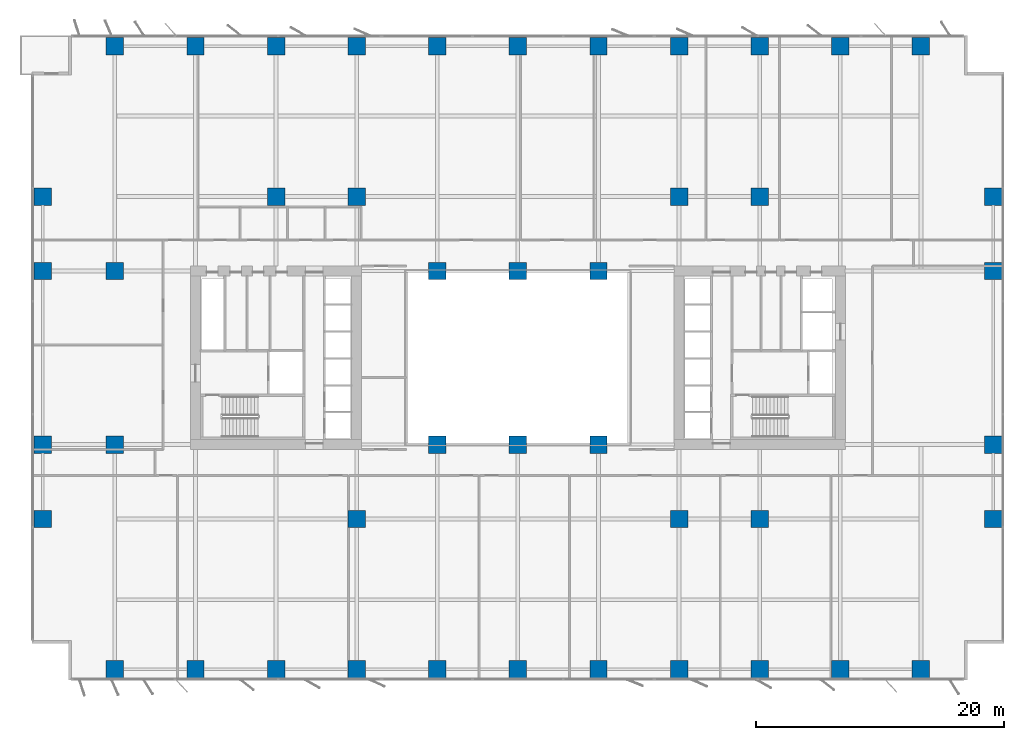
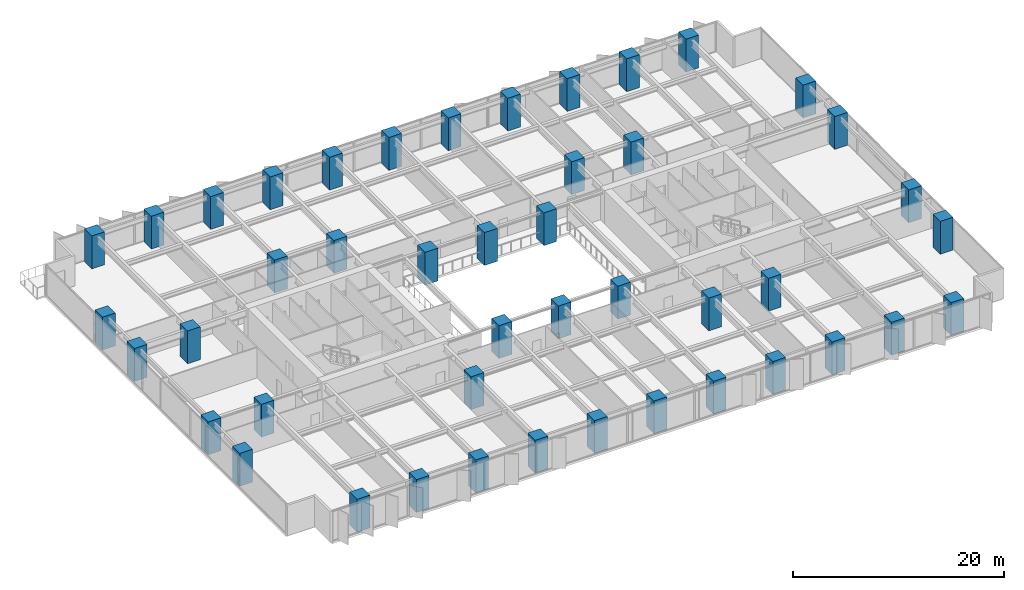
# One storey, part 1 of 20: 45 columns.
"""IFC4 building model written with IfcOpenShell, lengths in metres."""

from ifc_helpers import new_model, si_unit, direction, frame, origin, origin_2d, place, context, subcontext, project, spatial, rectangle, extrude, material, material_profile, profile_set, type_object, element, save


model = new_model("IFC4")

# Units and contexts
model_context = context("Model", 3, precision=1e-05, world=origin(), true_north=direction((0.0, 1.0)))
body_context = subcontext(model_context, "Body", "Model", "MODEL_VIEW")
ifc_project = project(units=[si_unit("LENGTHUNIT", "METRE"), si_unit("AREAUNIT", "SQUARE_METRE"), si_unit("VOLUMEUNIT", "CUBIC_METRE"), si_unit("PLANEANGLEUNIT", "RADIAN"), si_unit("MASSUNIT", "GRAM", prefix="KILO")], contexts=[model_context])

# Site, building, storey
site_placement = place(None, origin())
site = spatial("IfcSite", under=ifc_project, at=site_placement, CompositionType="ELEMENT")
building_placement = place(site_placement, origin())
building = spatial("IfcBuilding", under=site, at=building_placement, Name="Putna Gate Headquarters", CompositionType="ELEMENT")
storey_placement = place(building_placement, frame((0.0, 0.0, 77.199951171875)))
storey = spatial("IfcBuildingStorey", under=building, at=storey_placement, Name="L18", CompositionType="ELEMENT", Elevation=77.199951171875)

# Columns
ifc_material = material(Name="Concrete C60/75", Category="concrete")
ifc_material_profile_1 = material_profile(ifc_material, rectangle(XDim=1.39990234375, YDim=1.39990234375, at=origin_2d()), Name="Concrete C60/75")
ifc_profile_set_1 = profile_set([ifc_material_profile_1], Name="Concrete C60/75")
column_type_1 = type_object("IfcColumnType", Name="COL-RC1400-EXT", PredefinedType="COLUMN", material=ifc_profile_set_1)
for number, where, z_axis, x_axis, name in (
    (1, (6.5, 0.8798828125, 0.0), (0.0, 0.0, 1.0), (1.0, 0.0, 0.0), "L18 Column CP-S6"),
    (2, (6.5, 51.1201171875, 0.0), (0.0, 0.0, 1.0), (1.0, 0.0, 0.0), "L18 Column CP-N6"),
    (3, (13.0, 0.8798828125, 0.0), (0.0, 0.0, 1.0), (1.0, 0.0, 0.0), "L18 Column CP-S13"),
    (4, (13.0, 51.1201171875, 0.0), (0.0, 0.0, 1.0), (1.0, 0.0, 0.0), "L18 Column CP-N13"),
    (5, (19.5, 0.8798828125, 0.0), (0.0, 0.0, 1.0), (1.0, 0.0, 0.0), "L18 Column CP-S19"),
    (6, (19.5, 51.1201171875, 0.0), (0.0, 0.0, 1.0), (1.0, 0.0, 0.0), "L18 Column CP-N19"),
    (7, (26.0, 0.8798828125, 0.0), (0.0, 0.0, 1.0), (1.0, 0.0, 0.0), "L18 Column CP-S26"),
    (8, (26.0, 51.1201171875, 0.0), (0.0, 0.0, 1.0), (1.0, 0.0, 0.0), "L18 Column CP-N26"),
    (9, (32.5, 0.8798828125, 0.0), (0.0, 0.0, 1.0), (1.0, 0.0, 0.0), "L18 Column CP-S32"),
    (10, (32.5, 51.1201171875, 0.0), (0.0, 0.0, 1.0), (1.0, 0.0, 0.0), "L18 Column CP-N32"),
    (11, (39.0, 0.8798828125, 0.0), (0.0, 0.0, 1.0), (1.0, 0.0, 0.0), "L18 Column CP-S39"),
    (12, (39.0, 51.1201171875, 0.0), (0.0, 0.0, 1.0), (1.0, 0.0, 0.0), "L18 Column CP-N39"),
    (13, (45.5, 0.8798828125, 0.0), (0.0, 0.0, 1.0), (1.0, 0.0, 0.0), "L18 Column CP-S45"),
    (14, (45.5, 51.1201171875, 0.0), (0.0, 0.0, 1.0), (1.0, 0.0, 0.0), "L18 Column CP-N45"),
    (15, (52.0, 0.8798828125, 0.0), (0.0, 0.0, 1.0), (1.0, 0.0, 0.0), "L18 Column CP-S52"),
    (16, (52.0, 51.1201171875, 0.0), (0.0, 0.0, 1.0), (1.0, 0.0, 0.0), "L18 Column CP-N52"),
    (17, (58.5, 0.8798828125, 0.0), (0.0, 0.0, 1.0), (1.0, 0.0, 0.0), "L18 Column CP-S58"),
    (18, (58.5, 51.1201171875, 0.0), (0.0, 0.0, 1.0), (1.0, 0.0, 0.0), "L18 Column CP-N58"),
    (19, (65.0, 0.8798828125, 0.0), (0.0, 0.0, 1.0), (1.0, 0.0, 0.0), "L18 Column CP-S65"),
    (20, (65.0, 51.1201171875, 0.0), (0.0, 0.0, 1.0), (1.0, 0.0, 0.0), "L18 Column CP-N65"),
    (21, (71.5, 0.8798828125, 0.0), (0.0, 0.0, 1.0), (1.0, 0.0, 0.0), "L18 Column CP-S71"),
    (22, (71.5, 51.1201171875, 0.0), (0.0, 0.0, 1.0), (1.0, 0.0, 0.0), "L18 Column CP-N71"),
    (23, (0.679931640625, 13.0, 0.0), (0.0, 0.0, 1.0), (1.0, 0.0, 0.0), "L18 Column CP-W13"),
    (24, (77.320068359375, 13.0, 0.0), (0.0, 0.0, 1.0), (1.0, 0.0, 0.0), "L18 Column CP-E13"),
    (25, (0.679931640625, 19.0, 0.0), (0.0, 0.0, 1.0), (1.0, 0.0, 0.0), "L18 Column CP-W19"),
    (26, (77.320068359375, 19.0, 0.0), (0.0, 0.0, 1.0), (1.0, 0.0, 0.0), "L18 Column CP-E19"),
    (27, (0.679931640625, 33.0, 0.0), (0.0, 0.0, 1.0), (1.0, 0.0, 0.0), "L18 Column CP-W33"),
    (28, (77.320068359375, 33.0, 0.0), (0.0, 0.0, 1.0), (1.0, 0.0, 0.0), "L18 Column CP-E33"),
    (29, (0.679931640625, 39.0, 0.0), (0.0, 0.0, 1.0), (1.0, 0.0, 0.0), "L18 Column CP-W39"),
    (30, (77.320068359375, 39.0, 0.0), (0.0, 0.0, 1.0), (1.0, 0.0, 0.0), "L18 Column CP-E39"),
):
    element("IfcColumn", number, at=place(storey_placement, frame(where, z_axis=z_axis, x_axis=x_axis)), inside=storey, type_object=column_type_1, Name=name, PredefinedType="COLUMN", context=body_context, shape_type="SweptSolid", body=[
        extrude(rectangle(XDim=1.39990234375, YDim=1.39990234375, at=origin_2d()), origin(), (0.0, 0.0, 1.0), 3.800048828125),
    ])
ifc_material_profile_2 = material_profile(ifc_material, rectangle(XDim=1.39990234375, YDim=1.39990234375, at=origin_2d()), Name="Concrete C60/75")
ifc_profile_set_2 = profile_set([ifc_material_profile_2], Name="Concrete C60/75")
column_type_2 = type_object("IfcColumnType", Name="COL-RC1400-INT", PredefinedType="COLUMN", material=ifc_profile_set_2)
for number, where, z_axis, x_axis, name in (
    (31, (19.5, 39.0, 0.0), (0.0, 0.0, 1.0), (1.0, 0.0, 0.0), "L18 Column CSI-WN"),
    (32, (58.5, 13.0, 0.0), (0.0, 0.0, 1.0), (1.0, 0.0, 0.0), "L18 Column CSI-ES"),
    (33, (58.5, 39.0, 0.0), (0.0, 0.0, 1.0), (1.0, 0.0, 0.0), "L18 Column CSI-EN"),
    (34, (6.5, 19.0, 0.0), (0.0, 0.0, 1.0), (1.0, 0.0, 0.0), "L18 Column CSI-WM"),
    (35, (6.5, 33.0, 0.0), (0.0, 0.0, 1.0), (1.0, 0.0, 0.0), "L18 Column CSI-WNW"),
    (36, (32.5, 19.0, 0.0), (0.0, 0.0, 1.0), (1.0, 0.0, 0.0), "L18 Column CAI-S32"),
    (37, (32.5, 33.0, 0.0), (0.0, 0.0, 1.0), (1.0, 0.0, 0.0), "L18 Column CAI-N32"),
    (38, (39.0, 19.0, 0.0), (0.0, 0.0, 1.0), (1.0, 0.0, 0.0), "L18 Column CAI-S39"),
    (39, (39.0, 33.0, 0.0), (0.0, 0.0, 1.0), (1.0, 0.0, 0.0), "L18 Column CAI-N39"),
    (40, (45.5, 19.0, 0.0), (0.0, 0.0, 1.0), (1.0, 0.0, 0.0), "L18 Column CAI-S45"),
    (41, (45.5, 33.0, 0.0), (0.0, 0.0, 1.0), (1.0, 0.0, 0.0), "L18 Column CAI-N45"),
    (42, (26.0, 13.0, 0.0), (0.0, 0.0, 1.0), (1.0, 0.0, 0.0), "L18 Column CAP-WS"),
    (43, (26.0, 39.0, 0.0), (0.0, 0.0, 1.0), (1.0, 0.0, 0.0), "L18 Column CAP-WN"),
    (44, (52.0, 13.0, 0.0), (0.0, 0.0, 1.0), (1.0, 0.0, 0.0), "L18 Column CAP-ES"),
    (45, (52.0, 39.0, 0.0), (0.0, 0.0, 1.0), (1.0, 0.0, 0.0), "L18 Column CAP-EN"),
):
    element("IfcColumn", number, at=place(storey_placement, frame(where, z_axis=z_axis, x_axis=x_axis)), inside=storey, type_object=column_type_2, Name=name, PredefinedType="COLUMN", context=body_context, shape_type="SweptSolid", body=[
        extrude(rectangle(XDim=1.39990234375, YDim=1.39990234375, at=origin_2d()), origin(), (0.0, 0.0, 1.0), 3.800048828125),
    ])

save(model, "model.ifc")
